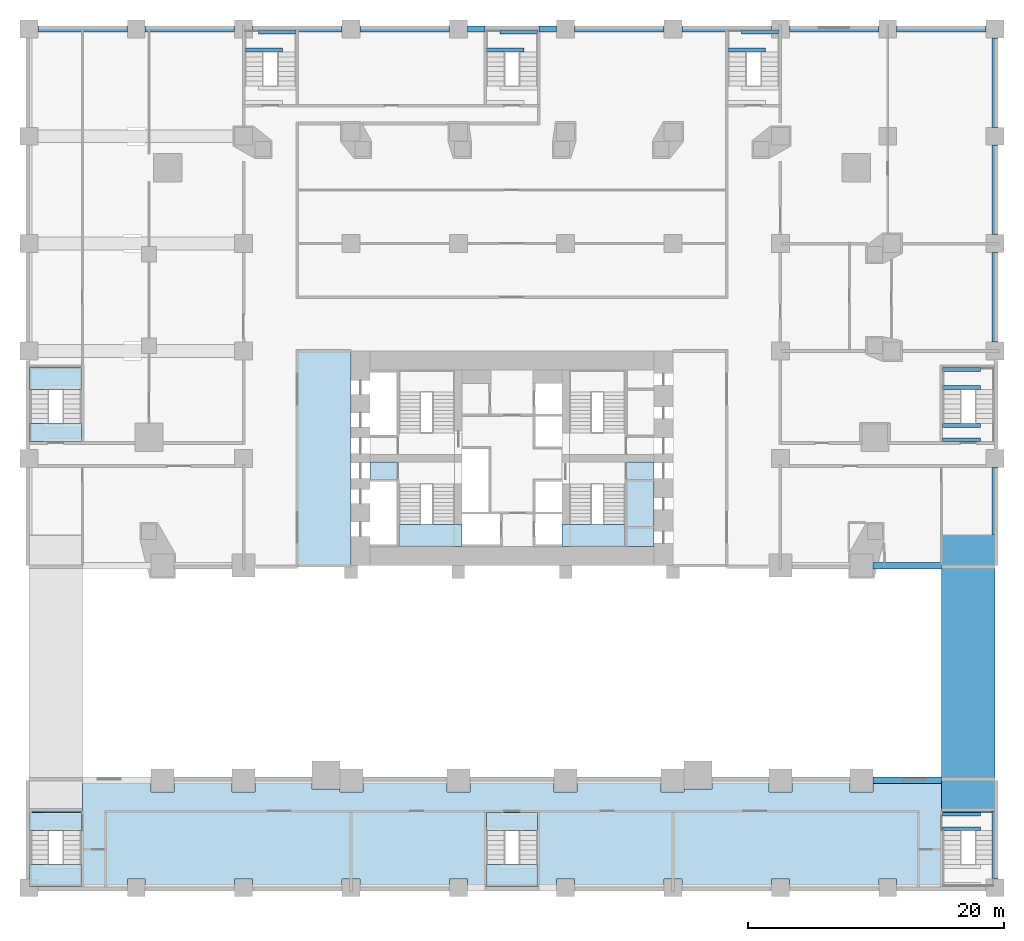
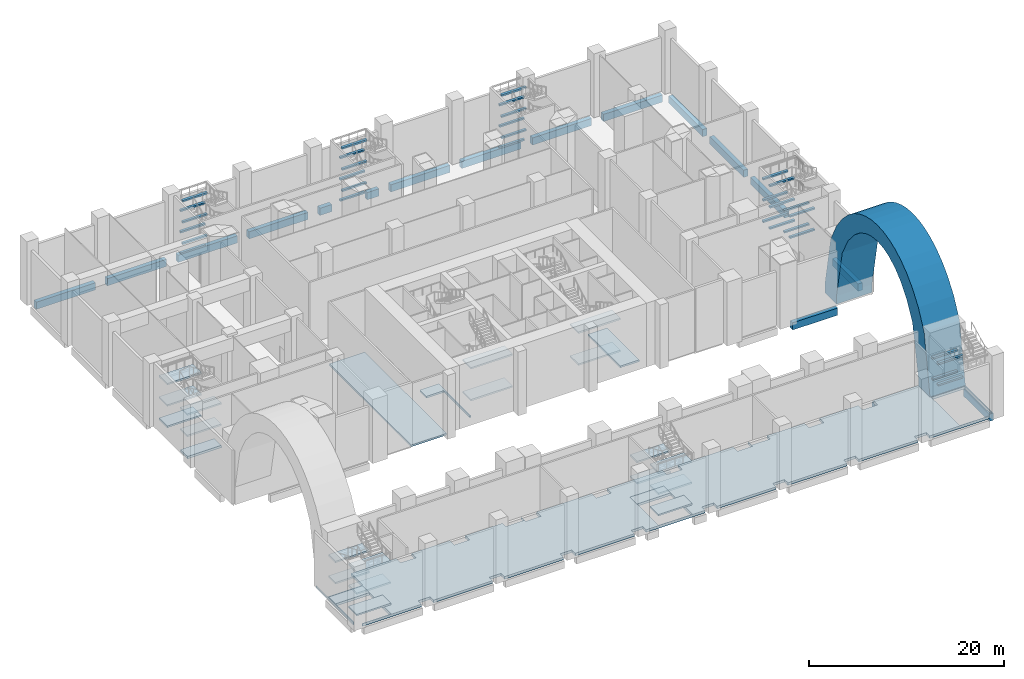
# One storey, part 2 of 19: 50 beams, 26 slabs, 5 elements without a shape of their own.
"""IFC4 building model written with IfcOpenShell, lengths in metres."""

from ifc_helpers import new_model, si_unit, direction, frame, origin, origin_2d, place, context, subcontext, project, spatial, polyline, rectangle, outline, extrude, material, layer, layer_set, material_profile, profile_set, type_object, element, aggregate, save


model = new_model("IFC4")

# Units and contexts
model_context = context("Model", 3, precision=1e-05, world=origin(), true_north=direction((0.0, 1.0)))
body_context = subcontext(model_context, "Body", "Model", "MODEL_VIEW")
ifc_project = project(units=[si_unit("LENGTHUNIT", "METRE"), si_unit("AREAUNIT", "SQUARE_METRE"), si_unit("VOLUMEUNIT", "CUBIC_METRE"), si_unit("PLANEANGLEUNIT", "RADIAN"), si_unit("MASSUNIT", "GRAM", prefix="KILO")], contexts=[model_context])

# Site, building, storey
site_placement = place(None, origin())
site = spatial("IfcSite", under=ifc_project, at=site_placement, CompositionType="ELEMENT")
building_placement = place(site_placement, origin())
building = spatial("IfcBuilding", under=site, at=building_placement, Name="Marenta Gate Hotel Tower", CompositionType="ELEMENT")
storey_placement = place(building_placement, frame((0.0, 0.0, 13.0)))
storey = spatial("IfcBuildingStorey", under=building, at=storey_placement, Name="L02", CompositionType="ELEMENT", Elevation=13.0)

# Beams
ifc_material_1 = material(Name="Concrete C80", Category="concrete")
ifc_layer_1 = layer(ifc_material_1, 4.199951171875)
ifc_layer_set_1 = layer_set([ifc_layer_1], Name="Concrete C80")
beam_type_1 = type_object("IfcBeamType", Name="Gate arch rib 4200 C80", PredefinedType="BEAM", material=ifc_layer_set_1)
beam_1_placement = place(storey_placement, frame((37.800048828125, -19.199951171875, 0.0), z_axis=(1.0, 0.0, 0.0), x_axis=(0.0, 1.0, 0.0)))
element("IfcBeam", 1, at=beam_1_placement, inside=storey, type_object=beam_type_1, Name="AR1 L02-AR-E", PredefinedType="BEAM", context=body_context, shape_type="SweptSolid", body=[
    extrude(outline(polyline([(0.0, 0.0), (2.39990234375, 0.0), (2.39990234375, 1.0), (3.599853515625, 7.180908203125), (4.800048828125, 9.398193359375), (6.0, 10.847900390625), (7.199951171875, 11.842041015625), (8.39990234375, 12.499755859375), (9.599853515625, 12.876953125), (10.800048828125, 13.0), (12.0, 12.876953125), (13.199951171875, 12.499755859375), (14.39990234375, 11.842041015625), (15.599853515625, 10.847900390625), (16.800048828125, 9.398193359375), (18.0, 7.180908203125), (19.199951171875, 1.0), (19.199951171875, 0.0), (21.599853515625, 0.0), (21.599853515625, 1.0), (20.39990234375, 7.413818359375), (19.199951171875, 9.799560546875), (18.0, 11.43505859375), (16.800048828125, 12.640625), (15.599853515625, 13.541259765625), (14.39990234375, 14.19921875), (13.199951171875, 14.64990234375), (12.0, 14.913330078125), (10.800048828125, 15.0), (9.599853515625, 14.913330078125), (8.39990234375, 14.64990234375), (7.199951171875, 14.19921875), (6.0, 13.541259765625), (4.800048828125, 12.640625), (3.599853515625, 11.43505859375), (2.39990234375, 9.799560546875), (1.199951171875, 7.413818359375), (0.0, 0.0)])), origin(), (0.0, 0.0, -1.0), 4.199951171875),
])
ifc_material_2 = material(Name="Concrete C60", Category="concrete")
ifc_material_profile_1 = material_profile(ifc_material_2, rectangle(XDim=0.5, YDim=0.89990234375, at=origin_2d()), Name="500 x 900")
ifc_profile_set_1 = profile_set([ifc_material_profile_1], Name="Concrete C60")
beam_type_2 = type_object("IfcBeamType", Name="Podium edge beam 500 x 900 C60", PredefinedType="BEAM", material=ifc_profile_set_1)
beam_2_placement = place(storey_placement, frame((37.800048828125, -24.5, -0.77001953125), z_axis=(0.0, 1.0, 0.0), x_axis=(-1.0, 0.0, 0.0)))
element("IfcBeam", 2, at=beam_2_placement, inside=storey, type_object=beam_type_2, Name="L02-PBM-54", PredefinedType="BEAM", context=body_context, shape_type="SweptSolid", body=[
    extrude(rectangle(XDim=0.5, YDim=0.89990234375, at=origin_2d()), origin(), (0.0, 0.0, 1.0), 5.300048828125),
])
for number, where, z_axis, x_axis, name in (
    (3, (33.60009765625, -16.800048828125, -0.77001953125), (-1.0, 0.0, 0.0), (0.0, -1.0, 0.0), "L02-PBM-55"),
    (4, (28.262939453125, 0.0, -0.77001953125), (1.0, 0.0, 0.0), (0.0, 1.0, 0.0), "L02-PBM-68"),
):
    element("IfcBeam", number, at=place(storey_placement, frame(where, z_axis=z_axis, x_axis=x_axis)), inside=storey, type_object=beam_type_2, Name=name, PredefinedType="BEAM", context=body_context, shape_type="SweptSolid", body=[
        extrude(rectangle(XDim=0.5, YDim=0.89990234375, at=origin_2d()), origin(), (0.0, 0.0, 1.0), 5.337158203125),
    ])
beam_3_placement = place(storey_placement, frame((37.800048828125, 2.39990234375, -0.77001953125), z_axis=(0.0, 1.0, 0.0), x_axis=(-1.0, 0.0, 0.0)))
element("IfcBeam", 5, at=beam_3_placement, inside=storey, type_object=beam_type_2, Name="L02-PBM-69", PredefinedType="BEAM", context=body_context, shape_type="SweptSolid", body=[
    extrude(rectangle(XDim=0.5, YDim=0.89990234375, at=origin_2d()), origin(), (0.0, 0.0, 1.0), 5.300048828125),
])
for number, where, z_axis, x_axis, name in (
    (6, (37.800048828125, 17.5, -0.77001953125), (0.0, 1.0, 0.0), (-1.0, 0.0, 0.0), "L02-PBM-70"),
    (7, (37.800048828125, 25.89990234375, -0.77001953125), (0.0, 1.0, 0.0), (-1.0, 0.0, 0.0), "L02-PBM-71"),
    (8, (37.800048828125, 34.300048828125, -0.77001953125), (0.0, 1.0, 0.0), (-1.0, 0.0, 0.0), "L02-PBM-72"),
    (9, (37.10009765625, 42.0, -0.77001953125), (-1.0, 0.0, 0.0), (0.0, -1.0, 0.0), "L02-PBM-73"),
    (10, (28.699951171875, 42.0, -0.77001953125), (-1.0, 0.0, 0.0), (0.0, -1.0, 0.0), "L02-PBM-74"),
    (11, (20.300048828125, 42.0, -0.77001953125), (-1.0, 0.0, 0.0), (0.0, -1.0, 0.0), "L02-PBM-75"),
    (12, (11.89990234375, 42.0, -0.77001953125), (-1.0, 0.0, 0.0), (0.0, -1.0, 0.0), "L02-PBM-76"),
):
    element("IfcBeam", number, at=place(storey_placement, frame(where, z_axis=z_axis, x_axis=x_axis)), inside=storey, type_object=beam_type_2, Name=name, PredefinedType="BEAM", context=body_context, shape_type="SweptSolid", body=[
        extrude(rectangle(XDim=0.5, YDim=0.89990234375, at=origin_2d()), origin(), (0.0, 0.0, 1.0), 7.0),
    ])
for number, where, z_axis, x_axis, name in (
    (13, (3.5, 42.0, -0.77001953125), (-1.0, 0.0, 0.0), (0.0, -1.0, 0.0), "L02-PBM-77"),
    (14, (-2.10009765625, 42.0, -0.77001953125), (-1.0, 0.0, 0.0), (0.0, -1.0, 0.0), "L02-PBM-78"),
):
    element("IfcBeam", number, at=place(storey_placement, frame(where, z_axis=z_axis, x_axis=x_axis)), inside=storey, type_object=beam_type_2, Name=name, PredefinedType="BEAM", context=body_context, shape_type="SweptSolid", body=[
        extrude(rectangle(XDim=0.5, YDim=0.89990234375, at=origin_2d()), origin(), (0.0, 0.0, 1.0), 1.39990234375),
    ])
for number, where, z_axis, x_axis, name in (
    (15, (-4.89990234375, 42.0, -0.77001953125), (-1.0, 0.0, 0.0), (0.0, -1.0, 0.0), "L02-PBM-79"),
    (16, (-13.300048828125, 42.0, -0.77001953125), (-1.0, 0.0, 0.0), (0.0, -1.0, 0.0), "L02-PBM-80"),
    (17, (-21.699951171875, 42.0, -0.77001953125), (-1.0, 0.0, 0.0), (0.0, -1.0, 0.0), "L02-PBM-81"),
    (18, (-30.10009765625, 42.0, -0.77001953125), (-1.0, 0.0, 0.0), (0.0, -1.0, 0.0), "L02-PBM-82"),
):
    element("IfcBeam", number, at=place(storey_placement, frame(where, z_axis=z_axis, x_axis=x_axis)), inside=storey, type_object=beam_type_2, Name=name, PredefinedType="BEAM", context=body_context, shape_type="SweptSolid", body=[
        extrude(rectangle(XDim=0.5, YDim=0.89990234375, at=origin_2d()), origin(), (0.0, 0.0, 1.0), 7.0),
    ])
ifc_material_3 = material(Name="Concrete C40", Category="concrete")
ifc_material_profile_2 = material_profile(ifc_material_3, rectangle(XDim=0.300048828125, YDim=0.199951171875, at=origin_2d()), Name="300 x 200")
ifc_profile_set_2 = profile_set([ifc_material_profile_2], Name="Concrete C40")
beam_type_3 = type_object("IfcBeamType", Name="Stair landing trimmer 300 x 200 C40", PredefinedType="BEAM", material=ifc_profile_set_2)
for number, where, z_axis, x_axis, name in (
    (19, (33.699951171875, -20.580078125, 2.36669921875), (1.0, 0.0, 0.0), (0.0, 1.0, 0.0), "L02-PX2-LT-3"),
    (20, (33.699951171875, -19.449951171875, 2.36669921875), (1.0, 0.0, 0.0), (0.0, 1.0, 0.0), "L02-PX2-LT-4"),
    (21, (33.699951171875, -20.580078125, 5.033203125), (1.0, 0.0, 0.0), (0.0, 1.0, 0.0), "L02-PX2-LT-7"),
    (22, (33.699951171875, -19.449951171875, 5.033203125), (1.0, 0.0, 0.0), (0.0, 1.0, 0.0), "L02-PX2-LT-8"),
    (23, (-20.89990234375, 40.340087890625, 1.033203125), (1.0, 0.0, 0.0), (0.0, 1.0, 0.0), "L02-PX3-LT-1"),
):
    element("IfcBeam", number, at=place(storey_placement, frame(where, z_axis=z_axis, x_axis=x_axis)), inside=storey, type_object=beam_type_3, Name=name, PredefinedType="BEAM", context=body_context, shape_type="SweptSolid", body=[
        extrude(rectangle(XDim=0.300048828125, YDim=0.199951171875, at=origin_2d()), origin(), (0.0, 0.0, 1.0), 2.949951171875),
    ])
beam_4_placement = place(storey_placement, frame((-19.85009765625, 41.75, 1.033203125), z_axis=(1.0, 0.0, 0.0), x_axis=(0.0, 1.0, 0.0)))
element("IfcBeam", 24, at=beam_4_placement, inside=storey, type_object=beam_type_3, Name="L02-PX3-LT-2", PredefinedType="BEAM", context=body_context, shape_type="SweptSolid", body=[
    extrude(rectangle(XDim=0.300048828125, YDim=0.199951171875, at=origin_2d()), origin(), (0.0, 0.0, 1.0), 2.9501953125),
])
beam_5_placement = place(storey_placement, frame((-20.89990234375, 40.340087890625, 3.699951171875), z_axis=(1.0, 0.0, 0.0), x_axis=(0.0, 1.0, 0.0)))
element("IfcBeam", 25, at=beam_5_placement, inside=storey, type_object=beam_type_3, Name="L02-PX3-LT-5", PredefinedType="BEAM", context=body_context, shape_type="SweptSolid", body=[
    extrude(rectangle(XDim=0.300048828125, YDim=0.199951171875, at=origin_2d()), origin(), (0.0, 0.0, 1.0), 2.949951171875),
])
beam_6_placement = place(storey_placement, frame((-19.85009765625, 41.75, 3.699951171875), z_axis=(1.0, 0.0, 0.0), x_axis=(0.0, 1.0, 0.0)))
element("IfcBeam", 26, at=beam_6_placement, inside=storey, type_object=beam_type_3, Name="L02-PX3-LT-6", PredefinedType="BEAM", context=body_context, shape_type="SweptSolid", body=[
    extrude(rectangle(XDim=0.300048828125, YDim=0.199951171875, at=origin_2d()), origin(), (0.0, 0.0, 1.0), 2.9501953125),
])
beam_7_placement = place(storey_placement, frame((-20.89990234375, 40.340087890625, 6.36669921875), z_axis=(1.0, 0.0, 0.0), x_axis=(0.0, 1.0, 0.0)))
element("IfcBeam", 27, at=beam_7_placement, inside=storey, type_object=beam_type_3, Name="L02-PX3-LT-9", PredefinedType="BEAM", context=body_context, shape_type="SweptSolid", body=[
    extrude(rectangle(XDim=0.300048828125, YDim=0.199951171875, at=origin_2d()), origin(), (0.0, 0.0, 1.0), 2.949951171875),
])
for number, where, z_axis, x_axis, name in (
    (28, (-19.85009765625, 41.75, 6.36669921875), (1.0, 0.0, 0.0), (0.0, 1.0, 0.0), "L02-PX3-LT-10"),
    (29, (16.89990234375, 40.340087890625, 1.033203125), (1.0, 0.0, 0.0), (0.0, 1.0, 0.0), "L02-PX4-LT-1"),
):
    element("IfcBeam", number, at=place(storey_placement, frame(where, z_axis=z_axis, x_axis=x_axis)), inside=storey, type_object=beam_type_3, Name=name, PredefinedType="BEAM", context=body_context, shape_type="SweptSolid", body=[
        extrude(rectangle(XDim=0.300048828125, YDim=0.199951171875, at=origin_2d()), origin(), (0.0, 0.0, 1.0), 2.9501953125),
    ])
beam_8_placement = place(storey_placement, frame((17.949951171875, 41.75, 1.033203125), z_axis=(1.0, 0.0, 0.0), x_axis=(0.0, 1.0, 0.0)))
element("IfcBeam", 30, at=beam_8_placement, inside=storey, type_object=beam_type_3, Name="L02-PX4-LT-2", PredefinedType="BEAM", context=body_context, shape_type="SweptSolid", body=[
    extrude(rectangle(XDim=0.300048828125, YDim=0.199951171875, at=origin_2d()), origin(), (0.0, 0.0, 1.0), 2.949951171875),
])
beam_9_placement = place(storey_placement, frame((16.89990234375, 40.340087890625, 3.699951171875), z_axis=(1.0, 0.0, 0.0), x_axis=(0.0, 1.0, 0.0)))
element("IfcBeam", 31, at=beam_9_placement, inside=storey, type_object=beam_type_3, Name="L02-PX4-LT-5", PredefinedType="BEAM", context=body_context, shape_type="SweptSolid", body=[
    extrude(rectangle(XDim=0.300048828125, YDim=0.199951171875, at=origin_2d()), origin(), (0.0, 0.0, 1.0), 2.9501953125),
])
beam_10_placement = place(storey_placement, frame((17.949951171875, 41.75, 3.699951171875), z_axis=(1.0, 0.0, 0.0), x_axis=(0.0, 1.0, 0.0)))
element("IfcBeam", 32, at=beam_10_placement, inside=storey, type_object=beam_type_3, Name="L02-PX4-LT-6", PredefinedType="BEAM", context=body_context, shape_type="SweptSolid", body=[
    extrude(rectangle(XDim=0.300048828125, YDim=0.199951171875, at=origin_2d()), origin(), (0.0, 0.0, 1.0), 2.949951171875),
])
beam_11_placement = place(storey_placement, frame((16.89990234375, 40.340087890625, 6.36669921875), z_axis=(1.0, 0.0, 0.0), x_axis=(0.0, 1.0, 0.0)))
element("IfcBeam", 33, at=beam_11_placement, inside=storey, type_object=beam_type_3, Name="L02-PX4-LT-9", PredefinedType="BEAM", context=body_context, shape_type="SweptSolid", body=[
    extrude(rectangle(XDim=0.300048828125, YDim=0.199951171875, at=origin_2d()), origin(), (0.0, 0.0, 1.0), 2.9501953125),
])
for number, where, z_axis, x_axis, name in (
    (34, (17.949951171875, 41.75, 6.36669921875), (1.0, 0.0, 0.0), (0.0, 1.0, 0.0), "L02-PX4-LT-10"),
    (35, (33.699951171875, 13.93994140625, 1.033203125), (1.0, 0.0, 0.0), (0.0, 1.0, 0.0), "L02-PX7-LT-1"),
    (36, (33.699951171875, 15.35009765625, 1.033203125), (1.0, 0.0, 0.0), (0.0, 1.0, 0.0), "L02-PX7-LT-2"),
    (37, (33.699951171875, 9.85009765625, 2.36669921875), (1.0, 0.0, 0.0), (0.0, 1.0, 0.0), "L02-PX7-LT-3"),
    (38, (33.699951171875, 10.97998046875, 2.36669921875), (1.0, 0.0, 0.0), (0.0, 1.0, 0.0), "L02-PX7-LT-4"),
    (39, (33.699951171875, 13.93994140625, 3.699951171875), (1.0, 0.0, 0.0), (0.0, 1.0, 0.0), "L02-PX7-LT-5"),
    (40, (33.699951171875, 15.35009765625, 3.699951171875), (1.0, 0.0, 0.0), (0.0, 1.0, 0.0), "L02-PX7-LT-6"),
    (41, (33.699951171875, 9.85009765625, 5.033203125), (1.0, 0.0, 0.0), (0.0, 1.0, 0.0), "L02-PX7-LT-7"),
    (42, (33.699951171875, 10.97998046875, 5.033203125), (1.0, 0.0, 0.0), (0.0, 1.0, 0.0), "L02-PX7-LT-8"),
    (43, (33.699951171875, 13.93994140625, 6.36669921875), (1.0, 0.0, 0.0), (0.0, 1.0, 0.0), "L02-PX7-LT-9"),
    (44, (33.699951171875, 15.35009765625, 6.36669921875), (1.0, 0.0, 0.0), (0.0, 1.0, 0.0), "L02-PX7-LT-10"),
    (45, (-2.0, 40.340087890625, 1.033203125), (1.0, 0.0, 0.0), (0.0, 1.0, 0.0), "L02-PX8-LT-1"),
    (46, (-0.949951171875, 41.75, 1.033203125), (1.0, 0.0, 0.0), (0.0, 1.0, 0.0), "L02-PX8-LT-2"),
    (47, (-2.0, 40.340087890625, 3.699951171875), (1.0, 0.0, 0.0), (0.0, 1.0, 0.0), "L02-PX8-LT-5"),
    (48, (-0.949951171875, 41.75, 3.699951171875), (1.0, 0.0, 0.0), (0.0, 1.0, 0.0), "L02-PX8-LT-6"),
    (49, (-2.0, 40.340087890625, 6.36669921875), (1.0, 0.0, 0.0), (0.0, 1.0, 0.0), "L02-PX8-LT-9"),
    (50, (-0.949951171875, 41.75, 6.36669921875), (1.0, 0.0, 0.0), (0.0, 1.0, 0.0), "L02-PX8-LT-10"),
):
    element("IfcBeam", number, at=place(storey_placement, frame(where, z_axis=z_axis, x_axis=x_axis)), inside=storey, type_object=beam_type_3, Name=name, PredefinedType="BEAM", context=body_context, shape_type="SweptSolid", body=[
        extrude(rectangle(XDim=0.300048828125, YDim=0.199951171875, at=origin_2d()), origin(), (0.0, 0.0, 1.0), 2.949951171875),
    ])

# Slabs
ifc_material_4 = material(Name="Concrete C40", Category="concrete")
ifc_layer_2 = layer(ifc_material_4, 0.219970703125)
ifc_layer_set_2 = layer_set([ifc_layer_2], Name="Concrete C40")
slab_type_1 = type_object("IfcSlabType", Name="Core floor slab 220", PredefinedType="FLOOR", material=ifc_layer_set_2)
slab_1_placement = place(storey_placement, frame((0.0, 0.0, -0.219970703125)))
element("IfcSlab", 51, at=slab_1_placement, inside=storey, type_object=slab_type_1, Name="L02-CF-3", PredefinedType="FLOOR", context=body_context, shape_type="SweptSolid", body=[
    extrude(outline(polyline([(11.10009765625, 8.10009765625), (11.10009765625, 1.5), (8.85009765625, 1.5), (8.85009765625, 6.39990234375), (8.85009765625, 8.10009765625), (11.10009765625, 8.10009765625)])), origin(), (0.0, 0.0, 1.0), 0.219970703125),
])
slab_2_placement = place(storey_placement, frame((0.0, 0.0, -0.219970703125)))
element("IfcSlab", 52, at=slab_2_placement, inside=storey, type_object=slab_type_1, Name="L02-CF-5", PredefinedType="FLOOR", context=body_context, shape_type="SweptSolid", body=[
    extrude(outline(polyline([(-8.85009765625, 8.10009765625), (-8.85009765625, 6.39990234375), (-8.85009765625, 1.5), (-9.0, 1.5), (-9.0, 1.64990234375), (-9.0, 4.050048828125), (-9.0, 4.199951171875), (-9.0, 6.60009765625), (-9.0, 6.75), (-11.10009765625, 6.75), (-11.10009765625, 8.10009765625), (-8.85009765625, 8.10009765625)])), origin(), (0.0, 0.0, 1.0), 0.219970703125),
])
slab_3_placement = place(storey_placement, frame((0.0, 0.0, -0.219970703125)))
element("IfcSlab", 53, at=slab_3_placement, inside=storey, type_object=slab_type_1, Name="L02-CF-7", PredefinedType="FLOOR", context=body_context, shape_type="SweptSolid", body=[
    extrude(outline(polyline([(-12.60009765625, 16.800048828125), (-12.60009765625, 0.0), (-16.800048828125, 0.0), (-16.800048828125, 16.800048828125), (-12.60009765625, 16.800048828125)])), origin(), (0.0, 0.0, 1.0), 0.219970703125),
])

# Stair, slabs
ifc_material_5 = material(Name="Concrete C40", Category="concrete")
stair_type_1 = type_object("IfcStairType", Name="Core exit stair 1700 wide", PredefinedType="HALF_TURN_STAIR", material=ifc_material_5)
stair_1_placement = place(storey_placement, origin())
stair_1 = element("IfcStair", 54, at=stair_1_placement, inside=storey, type_object=stair_type_1, Name="Exit stair 1", PredefinedType="HALF_TURN_STAIR")
ifc_material_6 = material(Name="Concrete C40", Category="concrete")
ifc_layer_3 = layer(ifc_material_6, 0.199951171875)
ifc_layer_set_3 = layer_set([ifc_layer_3], Name="Concrete C40")
slab_type_2 = type_object("IfcSlabType", Name="Core stair landing 200", PredefinedType="LANDING", material=ifc_layer_set_3)
slab_4_placement = place(storey_placement, frame((0.0, 0.0, 1.800048828125)))
slab_4 = element("IfcSlab", 55, at=slab_4_placement, type_object=slab_type_2, Name="SL-200 ST1 landing 1", PredefinedType="LANDING", context=body_context, shape_type="SweptSolid", body=[
    extrude(outline(polyline([(-8.85009765625, 1.5), (-3.89990234375, 1.5), (-3.89990234375, 3.2099609375), (-8.85009765625, 3.2099609375), (-8.85009765625, 1.5)])), origin(), (0.0, 0.0, 1.0), 0.199951171875),
])
slab_5_placement = place(storey_placement, frame((0.0, 0.0, 5.800048828125)))
slab_5 = element("IfcSlab", 56, at=slab_5_placement, type_object=slab_type_2, Name="SL-200 ST1 landing 3", PredefinedType="LANDING", context=body_context, shape_type="SweptSolid", body=[
    extrude(outline(polyline([(-8.85009765625, 1.5), (-3.89990234375, 1.5), (-3.89990234375, 3.2099609375), (-8.85009765625, 3.2099609375), (-8.85009765625, 1.5)])), origin(), (0.0, 0.0, 1.0), 0.199951171875),
])
aggregate(stair_1, [slab_4, slab_5])

stair_2_placement = place(storey_placement, origin())
stair_2 = element("IfcStair", 57, at=stair_2_placement, inside=storey, type_object=stair_type_1, Name="Exit stair 3", PredefinedType="HALF_TURN_STAIR")
slab_6_placement = place(storey_placement, frame((0.0, 0.0, 1.800048828125)))
slab_6 = element("IfcSlab", 58, at=slab_6_placement, type_object=slab_type_2, Name="SL-200 ST3 landing 1", PredefinedType="LANDING", context=body_context, shape_type="SweptSolid", body=[
    extrude(outline(polyline([(3.89990234375, 1.5), (8.85009765625, 1.5), (8.85009765625, 3.2099609375), (3.89990234375, 3.2099609375), (3.89990234375, 1.5)])), origin(), (0.0, 0.0, 1.0), 0.199951171875),
])
slab_7_placement = place(storey_placement, frame((0.0, 0.0, 5.800048828125)))
slab_7 = element("IfcSlab", 59, at=slab_7_placement, type_object=slab_type_2, Name="SL-200 ST3 landing 3", PredefinedType="LANDING", context=body_context, shape_type="SweptSolid", body=[
    extrude(outline(polyline([(3.89990234375, 1.5), (8.85009765625, 1.5), (8.85009765625, 3.2099609375), (3.89990234375, 3.2099609375), (3.89990234375, 1.5)])), origin(), (0.0, 0.0, 1.0), 0.199951171875),
])
aggregate(stair_2, [slab_6, slab_7])

ifc_material_7 = material(Name="Concrete C40", Category="concrete")
stair_type_2 = type_object("IfcStairType", Name="Podium exit stair 1430 wide", PredefinedType="HALF_TURN_STAIR", material=ifc_material_7)
stair_3_placement = place(storey_placement, origin())
stair_3 = element("IfcStair", 60, at=stair_3_placement, inside=storey, type_object=stair_type_2, Name="Podium exit stair 1", PredefinedType="HALF_TURN_STAIR")
slab_8_placement = place(storey_placement, frame((0.0, 0.0, 1.13330078125)))
slab_8 = element("IfcSlab", 61, at=slab_8_placement, type_object=slab_type_2, Name="SL-200 PX1 landing 1", PredefinedType="LANDING", context=body_context, shape_type="SweptSolid", body=[
    extrude(outline(polyline([(-37.739990234375, -25.10009765625), (-33.699951171875, -25.10009765625), (-33.699951171875, -23.389892578125), (-37.739990234375, -23.389892578125), (-37.739990234375, -25.10009765625)])), origin(), (0.0, 0.0, 1.0), 0.199951171875),
])
slab_9_placement = place(storey_placement, frame((0.0, 0.0, 2.466552734375)))
slab_9 = element("IfcSlab", 62, at=slab_9_placement, type_object=slab_type_2, Name="SL-200 PX1 landing 2", PredefinedType="LANDING", context=body_context, shape_type="SweptSolid", body=[
    extrude(outline(polyline([(-37.739990234375, -20.72998046875), (-33.699951171875, -20.72998046875), (-33.699951171875, -19.300048828125), (-37.739990234375, -19.300048828125), (-37.739990234375, -20.72998046875)])), origin(), (0.0, 0.0, 1.0), 0.2001953125),
])
slab_10_placement = place(storey_placement, frame((0.0, 0.0, 3.800048828125)))
slab_10 = element("IfcSlab", 63, at=slab_10_placement, type_object=slab_type_2, Name="SL-200 PX1 landing 3", PredefinedType="LANDING", context=body_context, shape_type="SweptSolid", body=[
    extrude(outline(polyline([(-37.739990234375, -25.10009765625), (-33.699951171875, -25.10009765625), (-33.699951171875, -23.389892578125), (-37.739990234375, -23.389892578125), (-37.739990234375, -25.10009765625)])), origin(), (0.0, 0.0, 1.0), 0.199951171875),
])
slab_11_placement = place(storey_placement, frame((0.0, 0.0, 5.13330078125)))
slab_11 = element("IfcSlab", 64, at=slab_11_placement, type_object=slab_type_2, Name="SL-200 PX1 landing 4", PredefinedType="LANDING", context=body_context, shape_type="SweptSolid", body=[
    extrude(outline(polyline([(-37.739990234375, -20.72998046875), (-33.699951171875, -20.72998046875), (-33.699951171875, -19.300048828125), (-37.739990234375, -19.300048828125), (-37.739990234375, -20.72998046875)])), origin(), (0.0, 0.0, 1.0), 0.199951171875),
])
slab_12_placement = place(storey_placement, frame((0.0, 0.0, 6.466552734375)))
slab_12 = element("IfcSlab", 65, at=slab_12_placement, type_object=slab_type_2, Name="SL-200 PX1 landing 5", PredefinedType="LANDING", context=body_context, shape_type="SweptSolid", body=[
    extrude(outline(polyline([(-37.739990234375, -25.10009765625), (-33.699951171875, -25.10009765625), (-33.699951171875, -23.389892578125), (-37.739990234375, -23.389892578125), (-37.739990234375, -25.10009765625)])), origin(), (0.0, 0.0, 1.0), 0.2001953125),
])
aggregate(stair_3, [slab_8, slab_9, slab_10, slab_11, slab_12])

stair_4_placement = place(storey_placement, origin())
stair_4 = element("IfcStair", 66, at=stair_4_placement, inside=storey, type_object=stair_type_2, Name="Podium exit stair 5", PredefinedType="HALF_TURN_STAIR")
slab_13_placement = place(storey_placement, frame((0.0, 0.0, 1.13330078125)))
slab_13 = element("IfcSlab", 67, at=slab_13_placement, type_object=slab_type_2, Name="SL-200 PX5 landing 1", PredefinedType="LANDING", context=body_context, shape_type="SweptSolid", body=[
    extrude(outline(polyline([(-2.0, -25.10009765625), (2.0, -25.10009765625), (2.0, -23.389892578125), (-2.0, -23.389892578125), (-2.0, -25.10009765625)])), origin(), (0.0, 0.0, 1.0), 0.199951171875),
])
slab_14_placement = place(storey_placement, frame((0.0, 0.0, 2.466552734375)))
slab_14 = element("IfcSlab", 68, at=slab_14_placement, type_object=slab_type_2, Name="SL-200 PX5 landing 2", PredefinedType="LANDING", context=body_context, shape_type="SweptSolid", body=[
    extrude(outline(polyline([(-2.0, -20.72998046875), (2.0, -20.72998046875), (2.0, -19.300048828125), (-2.0, -19.300048828125), (-2.0, -20.72998046875)])), origin(), (0.0, 0.0, 1.0), 0.2001953125),
])
slab_15_placement = place(storey_placement, frame((0.0, 0.0, 3.800048828125)))
slab_15 = element("IfcSlab", 69, at=slab_15_placement, type_object=slab_type_2, Name="SL-200 PX5 landing 3", PredefinedType="LANDING", context=body_context, shape_type="SweptSolid", body=[
    extrude(outline(polyline([(-2.0, -25.10009765625), (2.0, -25.10009765625), (2.0, -23.389892578125), (-2.0, -23.389892578125), (-2.0, -25.10009765625)])), origin(), (0.0, 0.0, 1.0), 0.199951171875),
])
slab_16_placement = place(storey_placement, frame((0.0, 0.0, 5.13330078125)))
slab_16 = element("IfcSlab", 70, at=slab_16_placement, type_object=slab_type_2, Name="SL-200 PX5 landing 4", PredefinedType="LANDING", context=body_context, shape_type="SweptSolid", body=[
    extrude(outline(polyline([(-2.0, -20.72998046875), (2.0, -20.72998046875), (2.0, -19.300048828125), (-2.0, -19.300048828125), (-2.0, -20.72998046875)])), origin(), (0.0, 0.0, 1.0), 0.199951171875),
])
slab_17_placement = place(storey_placement, frame((0.0, 0.0, 6.466552734375)))
slab_17 = element("IfcSlab", 71, at=slab_17_placement, type_object=slab_type_2, Name="SL-200 PX5 landing 5", PredefinedType="LANDING", context=body_context, shape_type="SweptSolid", body=[
    extrude(outline(polyline([(-2.0, -25.10009765625), (2.0, -25.10009765625), (2.0, -23.389892578125), (-2.0, -23.389892578125), (-2.0, -25.10009765625)])), origin(), (0.0, 0.0, 1.0), 0.2001953125),
])
aggregate(stair_4, [slab_13, slab_14, slab_15, slab_16, slab_17])

stair_5_placement = place(storey_placement, origin())
stair_5 = element("IfcStair", 72, at=stair_5_placement, inside=storey, type_object=stair_type_2, Name="Podium exit stair 6", PredefinedType="HALF_TURN_STAIR")
slab_18_placement = place(storey_placement, frame((0.0, 0.0, 1.13330078125)))
slab_18 = element("IfcSlab", 73, at=slab_18_placement, type_object=slab_type_2, Name="SL-200 PX6 landing 1", PredefinedType="LANDING", context=body_context, shape_type="SweptSolid", body=[
    extrude(outline(polyline([(-37.739990234375, 13.7900390625), (-33.699951171875, 13.7900390625), (-33.699951171875, 15.5), (-37.739990234375, 15.5), (-37.739990234375, 13.7900390625)])), origin(), (0.0, 0.0, 1.0), 0.199951171875),
])
slab_19_placement = place(storey_placement, frame((0.0, 0.0, 2.466552734375)))
slab_19 = element("IfcSlab", 74, at=slab_19_placement, type_object=slab_type_2, Name="SL-200 PX6 landing 2", PredefinedType="LANDING", context=body_context, shape_type="SweptSolid", body=[
    extrude(outline(polyline([(-37.739990234375, 9.699951171875), (-33.699951171875, 9.699951171875), (-33.699951171875, 11.1298828125), (-37.739990234375, 11.1298828125), (-37.739990234375, 9.699951171875)])), origin(), (0.0, 0.0, 1.0), 0.2001953125),
])
slab_20_placement = place(storey_placement, frame((0.0, 0.0, 3.800048828125)))
slab_20 = element("IfcSlab", 75, at=slab_20_placement, type_object=slab_type_2, Name="SL-200 PX6 landing 3", PredefinedType="LANDING", context=body_context, shape_type="SweptSolid", body=[
    extrude(outline(polyline([(-37.739990234375, 13.7900390625), (-33.699951171875, 13.7900390625), (-33.699951171875, 15.5), (-37.739990234375, 15.5), (-37.739990234375, 13.7900390625)])), origin(), (0.0, 0.0, 1.0), 0.199951171875),
])
slab_21_placement = place(storey_placement, frame((0.0, 0.0, 5.13330078125)))
slab_21 = element("IfcSlab", 76, at=slab_21_placement, type_object=slab_type_2, Name="SL-200 PX6 landing 4", PredefinedType="LANDING", context=body_context, shape_type="SweptSolid", body=[
    extrude(outline(polyline([(-37.739990234375, 9.699951171875), (-33.699951171875, 9.699951171875), (-33.699951171875, 11.1298828125), (-37.739990234375, 11.1298828125), (-37.739990234375, 9.699951171875)])), origin(), (0.0, 0.0, 1.0), 0.199951171875),
])
slab_22_placement = place(storey_placement, frame((0.0, 0.0, 6.466552734375)))
slab_22 = element("IfcSlab", 77, at=slab_22_placement, type_object=slab_type_2, Name="SL-200 PX6 landing 5", PredefinedType="LANDING", context=body_context, shape_type="SweptSolid", body=[
    extrude(outline(polyline([(-37.739990234375, 13.7900390625), (-33.699951171875, 13.7900390625), (-33.699951171875, 15.5), (-37.739990234375, 15.5), (-37.739990234375, 13.7900390625)])), origin(), (0.0, 0.0, 1.0), 0.2001953125),
])
aggregate(stair_5, [slab_18, slab_19, slab_20, slab_21, slab_22])

# Slabs
ifc_material_8 = material(Name="Concrete C40", Category="concrete")
ifc_layer_4 = layer(ifc_material_8, 0.320068359375)
ifc_layer_set_4 = layer_set([ifc_layer_4], Name="Concrete C40")
slab_type_3 = type_object("IfcSlabType", Name="Podium flat slab 320 C40", PredefinedType="FLOOR", material=ifc_layer_set_4)
slab_23_placement = place(storey_placement, frame((0.0, 0.0, -0.320068359375)))
element("IfcSlab", 78, at=slab_23_placement, inside=storey, type_object=slab_type_3, Name="PS1 L02-PSL-2", PredefinedType="FLOOR", context=body_context, shape_type="SweptSolid", body=[
    extrude(outline(polyline([(37.800048828125, -24.5), (37.800048828125, -16.800048828125), (37.7900390625, -16.800048828125), (37.7900390625, -19.199951171875), (33.60009765625, -19.199951171875), (33.60009765625, -16.800048828125), (28.262939453125, -16.800048828125), (28.262939453125, -17.699951171875), (26.462890625, -17.699951171875), (26.462890625, -16.800048828125), (21.89990234375, -16.800048828125), (21.89990234375, -17.699951171875), (20.10009765625, -17.699951171875), (20.10009765625, -16.800048828125), (15.666259765625, -16.800048828125), (15.666259765625, -17.474853515625), (13.46630859375, -17.474853515625), (13.46630859375, -16.800048828125), (13.4462890625, -16.800048828125), (13.4462890625, -17.699951171875), (11.646240234375, -17.699951171875), (11.646240234375, -16.800048828125), (5.10009765625, -16.800048828125), (5.10009765625, -17.699951171875), (3.300048828125, -17.699951171875), (3.300048828125, -16.800048828125), (-3.300048828125, -16.800048828125), (-3.300048828125, -17.699951171875), (-5.10009765625, -17.699951171875), (-5.10009765625, -16.800048828125), (-11.646240234375, -16.800048828125), (-11.646240234375, -17.699951171875), (-13.4462890625, -17.699951171875), (-13.4462890625, -16.800048828125), (-13.46630859375, -16.800048828125), (-13.46630859375, -17.474853515625), (-15.666259765625, -17.474853515625), (-15.666259765625, -16.800048828125), (-20.10009765625, -16.800048828125), (-20.10009765625, -17.699951171875), (-21.89990234375, -17.699951171875), (-21.89990234375, -16.800048828125), (-26.462890625, -16.800048828125), (-26.462890625, -17.699951171875), (-28.262939453125, -17.699951171875), (-28.262939453125, -16.800048828125), (-33.60009765625, -16.800048828125), (-33.60009765625, -19.199951171875), (-37.7900390625, -19.199951171875), (-37.7900390625, -16.800048828125), (-37.800048828125, -16.800048828125), (-37.800048828125, -24.5), (-37.699951171875, -24.5), (-37.699951171875, -19.300048828125), (-33.699951171875, -19.300048828125), (-33.699951171875, -25.10009765625), (-37.10009765625, -25.10009765625), (-37.10009765625, -25.199951171875), (-30.10009765625, -25.199951171875), (-30.10009765625, -24.5), (-28.699951171875, -24.5), (-28.699951171875, -25.199951171875), (-21.699951171875, -25.199951171875), (-21.699951171875, -24.5), (-20.300048828125, -24.5), (-20.300048828125, -25.199951171875), (-13.300048828125, -25.199951171875), (-13.300048828125, -24.5), (-11.89990234375, -24.5), (-11.89990234375, -25.199951171875), (-4.89990234375, -25.199951171875), (-4.89990234375, -24.5), (-3.5, -24.5), (-3.5, -25.199951171875), (3.5, -25.199951171875), (3.5, -24.5), (4.89990234375, -24.5), (4.89990234375, -25.199951171875), (11.89990234375, -25.199951171875), (11.89990234375, -24.5), (13.300048828125, -24.5), (13.300048828125, -25.199951171875), (20.300048828125, -25.199951171875), (20.300048828125, -24.5), (21.699951171875, -24.5), (21.699951171875, -25.199951171875), (28.699951171875, -25.199951171875), (28.699951171875, -24.5), (30.10009765625, -24.5), (30.10009765625, -25.199951171875), (37.10009765625, -25.199951171875), (37.10009765625, -25.10009765625), (33.699951171875, -25.10009765625), (33.699951171875, -19.300048828125), (37.699951171875, -19.300048828125), (37.699951171875, -24.5), (37.800048828125, -24.5)]), holes=[polyline([(-2.0, -25.10009765625), (-2.0, -19.300048828125), (2.0, -19.300048828125), (2.0, -25.10009765625), (-2.0, -25.10009765625)])]), origin(), (0.0, 0.0, 1.0), 0.320068359375),
])
ifc_material_9 = material(Name="Concrete C40", Category="concrete")
ifc_layer_5 = layer(ifc_material_9, 0.300048828125)
ifc_layer_set_5 = layer_set([ifc_layer_5], Name="Concrete C40")
slab_type_4 = type_object("IfcSlabType", Name="Stair floor landing slab 300", PredefinedType="FLOOR", material=ifc_layer_set_5)
slab_24_placement = place(storey_placement, frame((0.0, 0.0, -0.300048828125)))
element("IfcSlab", 79, at=slab_24_placement, inside=storey, type_object=slab_type_4, Name="L02-CL-PX1-1", PredefinedType="FLOOR", context=body_context, shape_type="SweptSolid", body=[
    extrude(outline(polyline([(-33.699951171875, -20.72998046875), (-37.699951171875, -20.72998046875), (-37.699951171875, -19.300048828125), (-33.699951171875, -19.300048828125), (-33.699951171875, -20.72998046875)])), origin(), (0.0, 0.0, 1.0), 0.300048828125),
])
slab_25_placement = place(storey_placement, frame((0.0, 0.0, -0.300048828125)))
element("IfcSlab", 80, at=slab_25_placement, inside=storey, type_object=slab_type_4, Name="L02-CL-PX5-1", PredefinedType="FLOOR", context=body_context, shape_type="SweptSolid", body=[
    extrude(outline(polyline([(2.0, -20.72998046875), (-2.0, -20.72998046875), (-2.0, -19.300048828125), (2.0, -19.300048828125), (2.0, -20.72998046875)])), origin(), (0.0, 0.0, 1.0), 0.300048828125),
])
slab_26_placement = place(storey_placement, frame((0.0, 0.0, -0.300048828125)))
element("IfcSlab", 81, at=slab_26_placement, inside=storey, type_object=slab_type_4, Name="L02-CL-PX6-1", PredefinedType="FLOOR", context=body_context, shape_type="SweptSolid", body=[
    extrude(outline(polyline([(-33.699951171875, 9.699951171875), (-37.699951171875, 9.699951171875), (-37.699951171875, 11.1298828125), (-33.699951171875, 11.1298828125), (-33.699951171875, 9.699951171875)])), origin(), (0.0, 0.0, 1.0), 0.300048828125),
])

save(model, "model.ifc")
